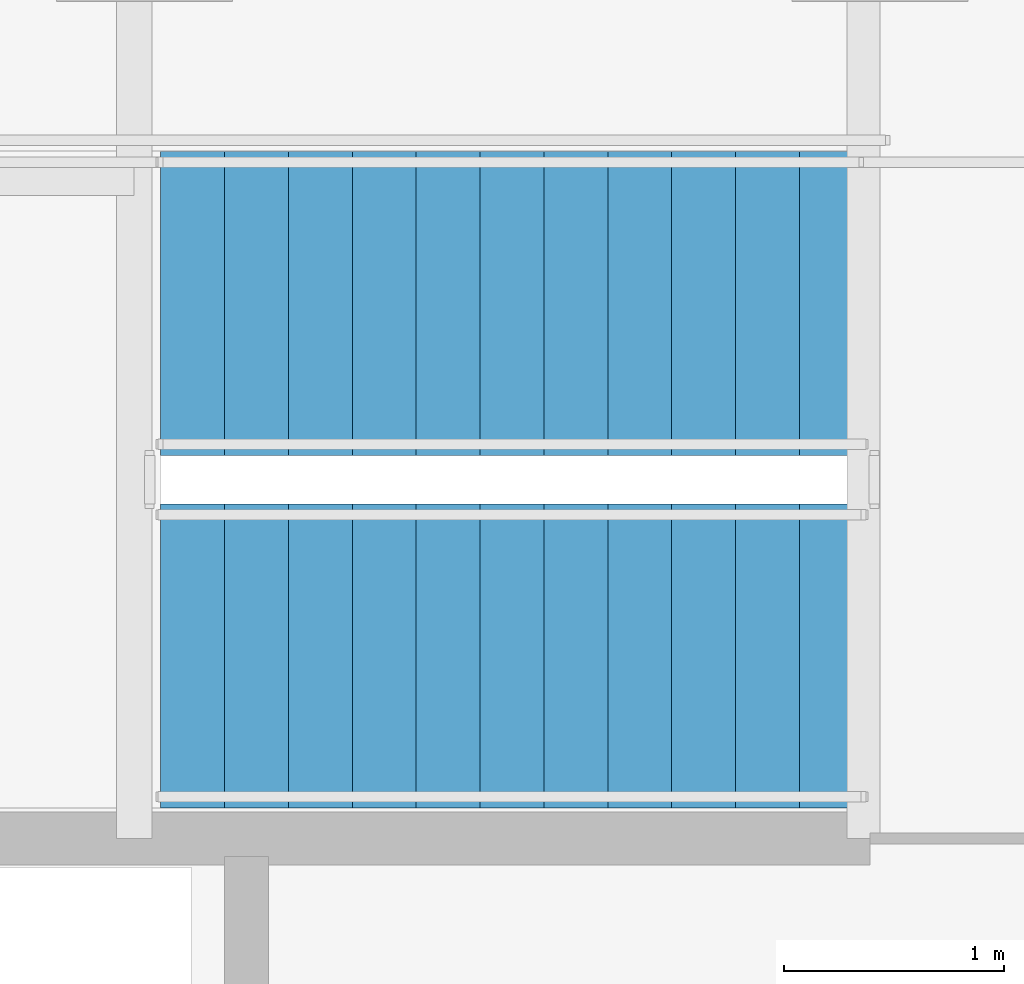
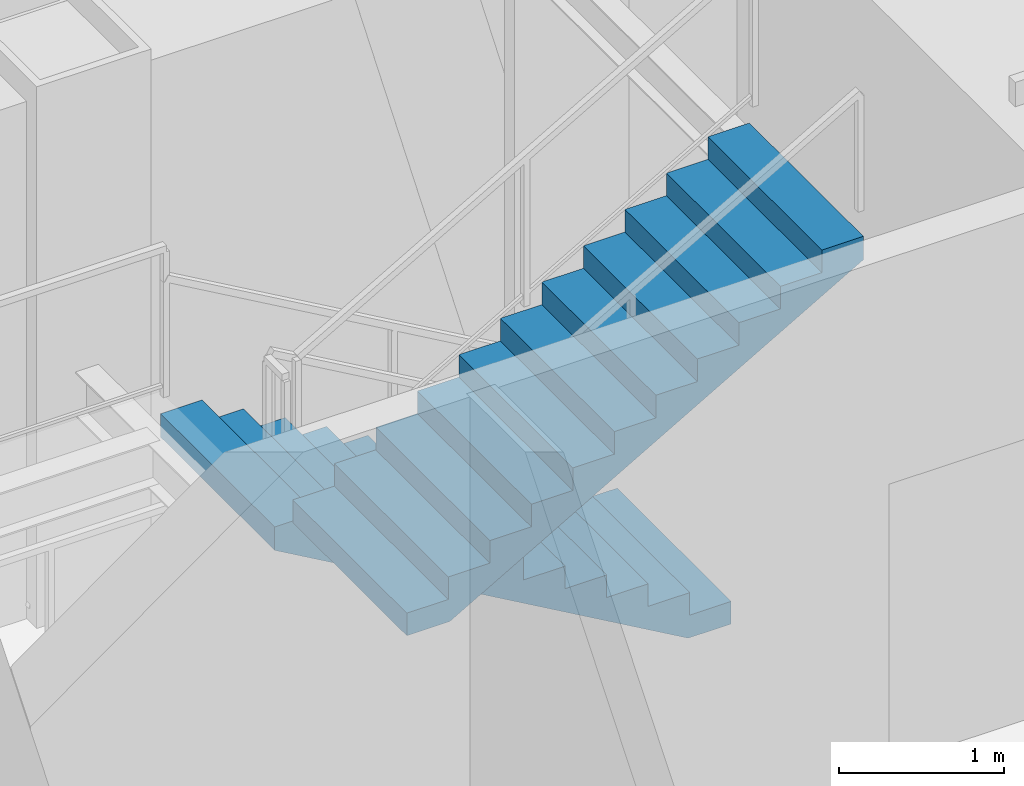
# One storey, part 34 of 36: 2 stair flights, 1 element without a shape of its own.
"""IFC4 building model written with IfcOpenShell, lengths in metres."""

from ifc_helpers import new_model, si_unit, direction, frame, origin, place, context, subcontext, project, spatial, polyline, outline, extrude, material, type_object, element, aggregate, save


model = new_model("IFC4")

# Units and contexts
model_context = context("Model", 3, precision=1e-05, world=origin(), true_north=direction((0.0, 1.0)))
body_context = subcontext(model_context, "Body", "Model", "MODEL_VIEW")
ifc_project = project(units=[si_unit("LENGTHUNIT", "METRE"), si_unit("AREAUNIT", "SQUARE_METRE"), si_unit("VOLUMEUNIT", "CUBIC_METRE"), si_unit("PLANEANGLEUNIT", "RADIAN"), si_unit("MASSUNIT", "GRAM", prefix="KILO")], contexts=[model_context])

# Site, building, storey
site_placement = place(None, origin())
site = spatial("IfcSite", under=ifc_project, at=site_placement, CompositionType="ELEMENT")
building_placement = place(site_placement, origin())
building = spatial("IfcBuilding", under=site, at=building_placement, Name="Khoronbel Lancet Exchange", CompositionType="ELEMENT")
storey_placement = place(building_placement, frame((0.0, 0.0, 49.800048828125)))
storey = spatial("IfcBuildingStorey", under=building, at=storey_placement, Name="L11", CompositionType="ELEMENT", Elevation=49.800048828125)

# Stair, stair flights
ifc_material = material(Name="Concrete C40/50", Category="concrete")
stair_type = type_object("IfcStairType", Name="STR-CORE150", PredefinedType="HALF_TURN_STAIR", material=ifc_material)
stair_placement = place(storey_placement, origin())
stair = element("IfcStair", 1, at=stair_placement, inside=storey, type_object=stair_type, Name="L11 Protected Exit Stair ST2", PredefinedType="HALF_TURN_STAIR")
stair_flight_type = type_object("IfcStairFlightType", Name="STF-150", PredefinedType="STRAIGHT", material=ifc_material)
stair_flight_1_placement = place(storey_placement, frame((54.60009765625, 51.409912109375, 0.0), z_axis=(0.0, 0.0, 1.0), x_axis=(-1.0, 0.0, 0.0)))
stair_flight_1 = element("IfcStairFlight", 2, at=stair_flight_1_placement, type_object=stair_flight_type, Name="ST2 flight 1", NumberOfRisers=12, NumberOfTreads=11, PredefinedType="STRAIGHT", RiserHeight=0.166666667, TreadLength=0.29, context=body_context, shape_type="SweptSolid", body=[
    extrude(outline(polyline([(0.0, 0.0), (0.0, 0.166748046875), (0.2900390625, 0.166748046875), (0.2900390625, 0.333251953125), (0.580078125, 0.333251953125), (0.580078125, 0.5), (0.8701171875, 0.5), (0.8701171875, 0.666748046875), (1.159912109375, 0.666748046875), (1.159912109375, 0.833251953125), (1.449951171875, 0.833251953125), (1.449951171875, 1.0), (1.739990234375, 1.0), (1.739990234375, 1.166748046875), (2.030029296875, 1.166748046875), (2.030029296875, 1.333251953125), (2.320068359375, 1.333251953125), (2.320068359375, 1.5), (2.610107421875, 1.5), (2.610107421875, 1.666748046875), (2.89990234375, 1.666748046875), (2.89990234375, 1.833251953125), (3.18994140625, 1.833251953125), (3.18994140625, 2.0), (3.18994140625, 1.660400390625), (0.30078125, 0.0), (0.0, 0.0)])), frame((0.0, 0.68994140625, 0.0), z_axis=(0.0, -1.0, 0.0), x_axis=(1.0, 0.0, 0.0)), (0.0, 0.0, 1.0), 1.3798828125),
])
stair_flight_2_placement = place(storey_placement, frame((51.409912109375, 49.81005859375, 2.0), z_axis=(0.0, 0.0, 1.0), x_axis=(1.0, 0.0, 0.0)))
stair_flight_2 = element("IfcStairFlight", 3, at=stair_flight_2_placement, type_object=stair_flight_type, Name="ST2 flight 2", NumberOfRisers=12, NumberOfTreads=11, PredefinedType="STRAIGHT", RiserHeight=0.166666667, TreadLength=0.29, context=body_context, shape_type="SweptSolid", body=[
    extrude(outline(polyline([(0.0, 0.0), (0.0, 0.166748046875), (0.2900390625, 0.166748046875), (0.2900390625, 0.333251953125), (0.580078125, 0.333251953125), (0.580078125, 0.5), (0.8701171875, 0.5), (0.8701171875, 0.666748046875), (1.159912109375, 0.666748046875), (1.159912109375, 0.833251953125), (1.449951171875, 0.833251953125), (1.449951171875, 1.0), (1.739990234375, 1.0), (1.739990234375, 1.166748046875), (2.030029296875, 1.166748046875), (2.030029296875, 1.333251953125), (2.320068359375, 1.333251953125), (2.320068359375, 1.5), (2.610107421875, 1.5), (2.610107421875, 1.666748046875), (2.89990234375, 1.666748046875), (2.89990234375, 1.833251953125), (3.18994140625, 1.833251953125), (3.18994140625, 2.0), (3.18994140625, 1.660400390625), (0.30078125, 0.0), (0.0, 0.0)])), frame((0.0, 0.68994140625, 0.0), z_axis=(0.0, -1.0, 0.0), x_axis=(1.0, 0.0, 0.0)), (0.0, 0.0, 1.0), 1.3798828125),
])
aggregate(stair, [stair_flight_1, stair_flight_2])

save(model, "model.ifc")
